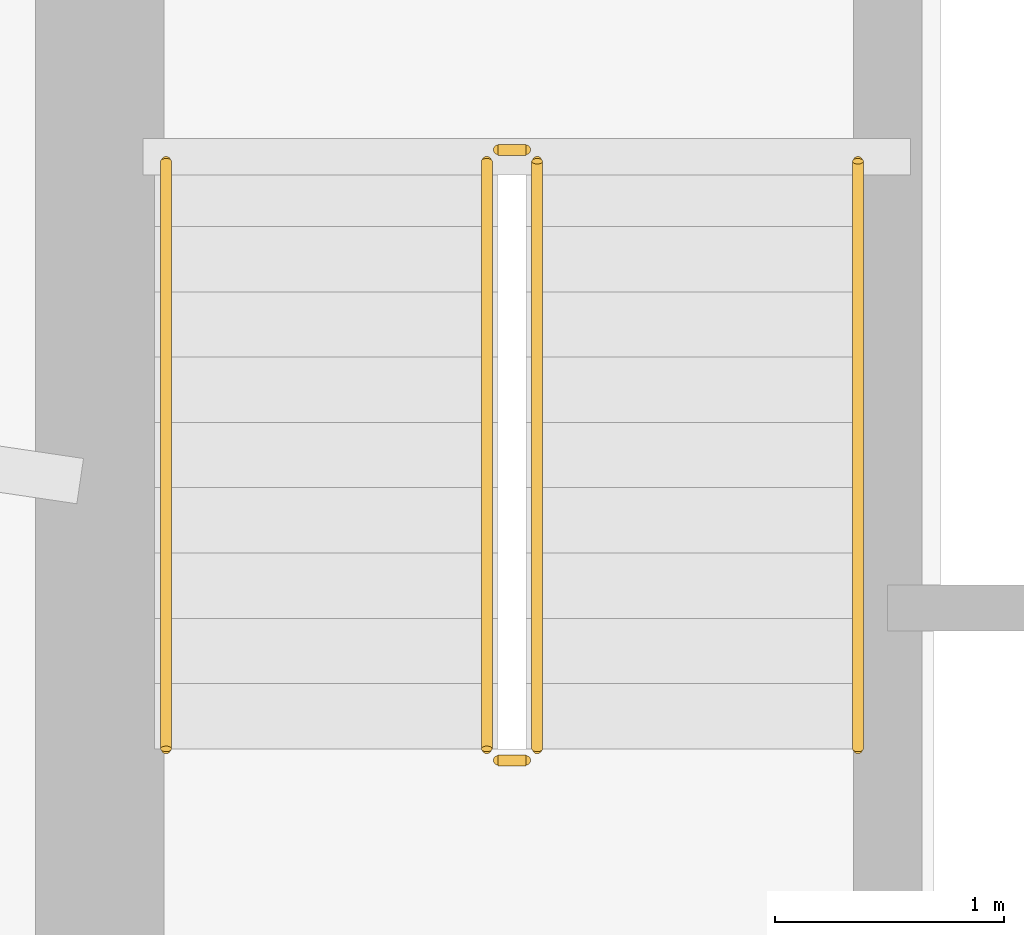
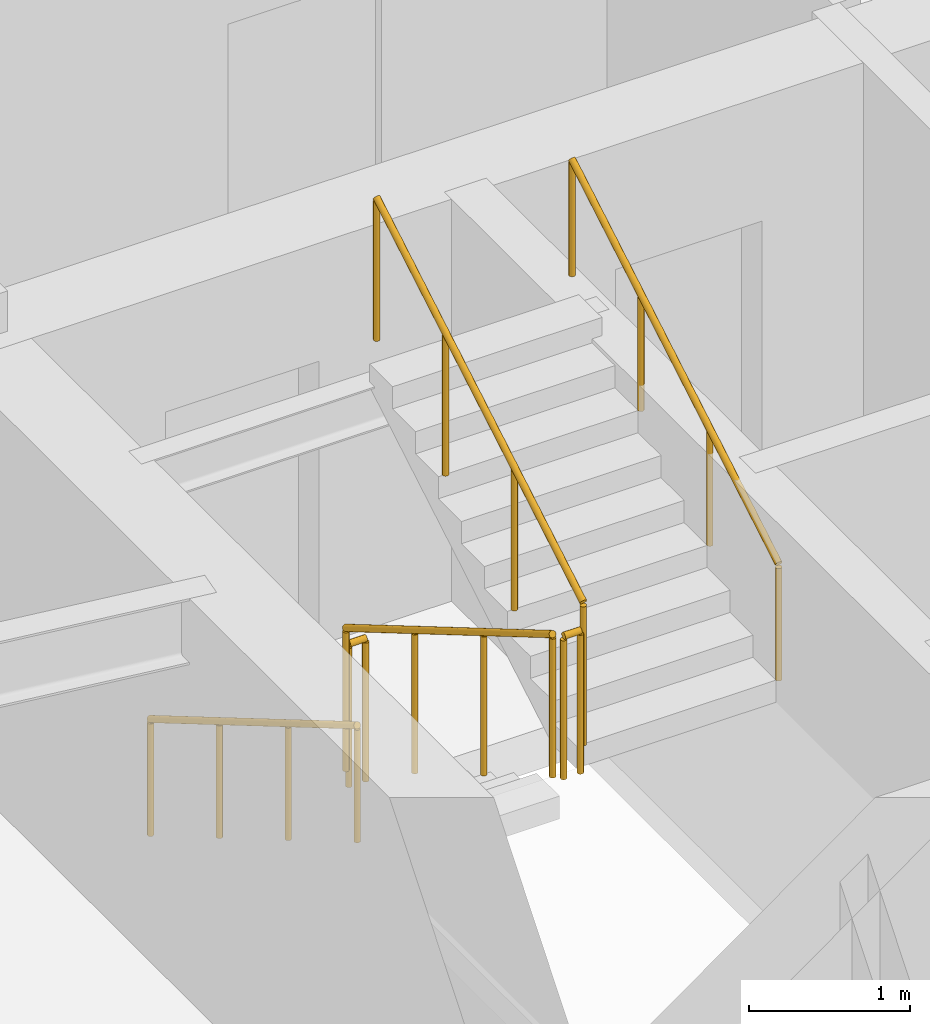
# One storey, part 21 of 23: 6 railings.
"""IFC4 building model written with IfcOpenShell, lengths in metres."""

from ifc_helpers import new_model, si_unit, direction, frame, origin, origin_2d, place, context, subcontext, project, spatial, circle, extrude, material, type_object, element, save


model = new_model("IFC4")

# Units and contexts
model_context = context("Model", 3, precision=1e-05, world=origin(), true_north=direction((0.0, 1.0)))
body_context = subcontext(model_context, "Body", "Model", "MODEL_VIEW")
ifc_project = project(units=[si_unit("LENGTHUNIT", "METRE"), si_unit("AREAUNIT", "SQUARE_METRE"), si_unit("VOLUMEUNIT", "CUBIC_METRE"), si_unit("PLANEANGLEUNIT", "RADIAN"), si_unit("MASSUNIT", "GRAM", prefix="KILO")], contexts=[model_context])

# Site, building, storey
site_placement = place(None, origin())
site = spatial("IfcSite", under=ifc_project, at=site_placement, CompositionType="ELEMENT")
building_placement = place(site_placement, origin())
building = spatial("IfcBuilding", under=site, at=building_placement, Name="Qobustan Lattice House", CompositionType="ELEMENT")
storey_placement = place(building_placement, frame((0.0, 0.0, 95.75)))
storey = spatial("IfcBuildingStorey", under=building, at=storey_placement, Name="L26", CompositionType="ELEMENT", Elevation=95.75)

# Railings
ifc_material_1 = material(Name="Brushed stainless steel handrail", Category="steel")
railing_type_1 = type_object("IfcRailingType", Name="RAL-HR-920", PredefinedType="HANDRAIL", material=ifc_material_1)
railing_1_placement = place(storey_placement, frame((-18.199951171875, 3.5, 0.16748046875)))
element("IfcRailing", 1, at=railing_1_placement, inside=storey, type_object=railing_type_1, Name="L26 ST-W1 stair handrail 1", PredefinedType="HANDRAIL", context=body_context, shape_type="SweptSolid", body=[
    extrude(circle(Radius=0.02392578125, at=origin_2d()), frame((0.0, 0.0, 0.8759765625), z_axis=(0.0, -0.862113467892, 0.50671527358), x_axis=(1.0, 0.0, 0.0)), (0.0, 0.0, 1.0), 2.97509765625),
    extrude(circle(Radius=0.02099609375, at=origin_2d()), origin(), (0.0, 0.0, 1.0), 0.851806640625),
    extrude(circle(Radius=0.02099609375, at=origin_2d()), frame((0.0, -0.85498046875, 0.50244140625)), (0.0, 0.0, 1.0), 0.851806640625),
    extrude(circle(Radius=0.02099609375, at=origin_2d()), frame((0.0, -1.7099609375, 1.005126953125)), (0.0, 0.0, 1.0), 0.851806640625),
    extrude(circle(Radius=0.02099609375, at=origin_2d()), frame((0.0, -2.56494140625, 1.507568359375)), (0.0, 0.0, 1.0), 0.851806640625),
])
railing_2_placement = place(storey_placement, frame((-15.179931640625, 0.93505859375, 1.842529296875)))
element("IfcRailing", 2, at=railing_2_placement, inside=storey, type_object=railing_type_1, Name="L26 ST-W1 stair handrail 2", PredefinedType="HANDRAIL", context=body_context, shape_type="SweptSolid", body=[
    extrude(circle(Radius=0.02392578125, at=origin_2d()), frame((0.0, 0.0, 0.8759765625), z_axis=(0.0, 0.862113467892, 0.50671527358), x_axis=(-1.0, 0.0, 0.0)), (0.0, 0.0, 1.0), 2.97509765625),
    extrude(circle(Radius=0.02099609375, at=origin_2d()), origin(), (0.0, 0.0, 1.0), 0.851806640625),
    extrude(circle(Radius=0.02099609375, at=origin_2d()), frame((0.0, 0.85498046875, 0.50244140625)), (0.0, 0.0, 1.0), 0.851806640625),
    extrude(circle(Radius=0.02099609375, at=origin_2d()), frame((0.0, 1.7099609375, 1.005126953125)), (0.0, 0.0, 1.0), 0.851806640625),
    extrude(circle(Radius=0.02099609375, at=origin_2d()), frame((0.0, 2.56494140625, 1.507568359375)), (0.0, 0.0, 1.0), 0.851806640625),
])
ifc_material_2 = material(Name="Painted galvanized steel guardrail", Category="steel")
railing_type_2 = type_object("IfcRailingType", Name="RAL-STG-1150", PredefinedType="GUARDRAIL", material=ifc_material_2)
railing_3_placement = place(storey_placement, frame((-16.800048828125, 3.5, 0.16748046875)))
element("IfcRailing", 3, at=railing_3_placement, inside=storey, type_object=railing_type_2, Name="L26 ST-W1 stair guard 1", PredefinedType="GUARDRAIL", context=body_context, shape_type="SweptSolid", body=[
    extrude(circle(Radius=0.02392578125, at=origin_2d()), frame((0.0, 0.0, 1.076171875), z_axis=(0.0, -0.862113467892, 0.50671527358), x_axis=(1.0, 0.0, 0.0)), (0.0, 0.0, 1.0), 2.97509765625),
    extrude(circle(Radius=0.02099609375, at=origin_2d()), origin(), (0.0, 0.0, 1.0), 1.052001953125),
    extrude(circle(Radius=0.02099609375, at=origin_2d()), frame((0.0, -0.85498046875, 0.50244140625)), (0.0, 0.0, 1.0), 1.052001953125),
    extrude(circle(Radius=0.02099609375, at=origin_2d()), frame((0.0, -1.7099609375, 1.005126953125)), (0.0, 0.0, 1.0), 1.052001953125),
    extrude(circle(Radius=0.02099609375, at=origin_2d()), frame((0.0, -2.56494140625, 1.507568359375)), (0.0, 0.0, 1.0), 1.052001953125),
])
railing_4_placement = place(storey_placement, frame((-16.75, 0.885009765625, 1.675048828125)))
element("IfcRailing", 4, at=railing_4_placement, inside=storey, type_object=railing_type_2, Name="L26 ST-W1 stair guard 2", PredefinedType="GUARDRAIL", context=body_context, shape_type="SweptSolid", body=[
    extrude(circle(Radius=0.02392578125, at=origin_2d()), frame((0.0, 0.0, 1.076171875), z_axis=(1.0, 0.0, 0.0), x_axis=(0.0, 1.0, 0.0)), (0.0, 0.0, 1.0), 0.1201171875),
    extrude(circle(Radius=0.02099609375, at=origin_2d()), origin(), (0.0, 0.0, 1.0), 1.052001953125),
    extrude(circle(Radius=0.02099609375, at=origin_2d()), frame((0.1201171875, 0.0, 0.0)), (0.0, 0.0, 1.0), 1.052001953125),
])
railing_5_placement = place(storey_placement, frame((-16.580078125, 0.93505859375, 1.842529296875)))
element("IfcRailing", 5, at=railing_5_placement, inside=storey, type_object=railing_type_2, Name="L26 ST-W1 stair guard 3", PredefinedType="GUARDRAIL", context=body_context, shape_type="SweptSolid", body=[
    extrude(circle(Radius=0.02392578125, at=origin_2d()), frame((0.0, 0.0, 1.076171875), z_axis=(0.0, 0.862113467892, 0.50671527358), x_axis=(-1.0, 0.0, 0.0)), (0.0, 0.0, 1.0), 2.97509765625),
    extrude(circle(Radius=0.02099609375, at=origin_2d()), origin(), (0.0, 0.0, 1.0), 1.052001953125),
    extrude(circle(Radius=0.02099609375, at=origin_2d()), frame((0.0, 0.85498046875, 0.50244140625)), (0.0, 0.0, 1.0), 1.052001953125),
    extrude(circle(Radius=0.02099609375, at=origin_2d()), frame((0.0, 1.7099609375, 1.005126953125)), (0.0, 0.0, 1.0), 1.052001953125),
    extrude(circle(Radius=0.02099609375, at=origin_2d()), frame((0.0, 2.56494140625, 1.507568359375)), (0.0, 0.0, 1.0), 1.052001953125),
])
railing_6_placement = place(storey_placement, frame((-16.75, 3.550048828125, 0.0)))
element("IfcRailing", 6, at=railing_6_placement, inside=storey, type_object=railing_type_2, Name="L26 ST-W1 stair guard 4", PredefinedType="GUARDRAIL", context=body_context, shape_type="SweptSolid", body=[
    extrude(circle(Radius=0.02392578125, at=origin_2d()), frame((0.0, 0.0, 1.076171875), z_axis=(1.0, 0.0, 0.0), x_axis=(0.0, 1.0, 0.0)), (0.0, 0.0, 1.0), 0.1201171875),
    extrude(circle(Radius=0.02099609375, at=origin_2d()), origin(), (0.0, 0.0, 1.0), 1.052001953125),
    extrude(circle(Radius=0.02099609375, at=origin_2d()), frame((0.1201171875, 0.0, 0.0)), (0.0, 0.0, 1.0), 1.052001953125),
])

save(model, "model.ifc")
